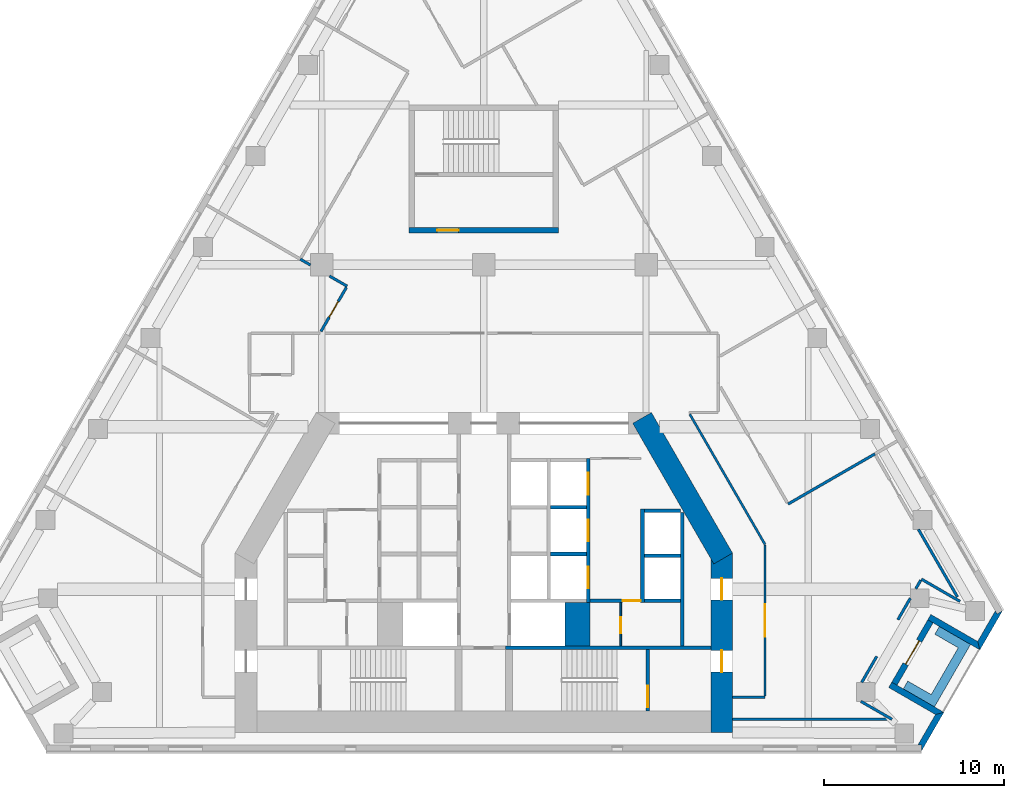
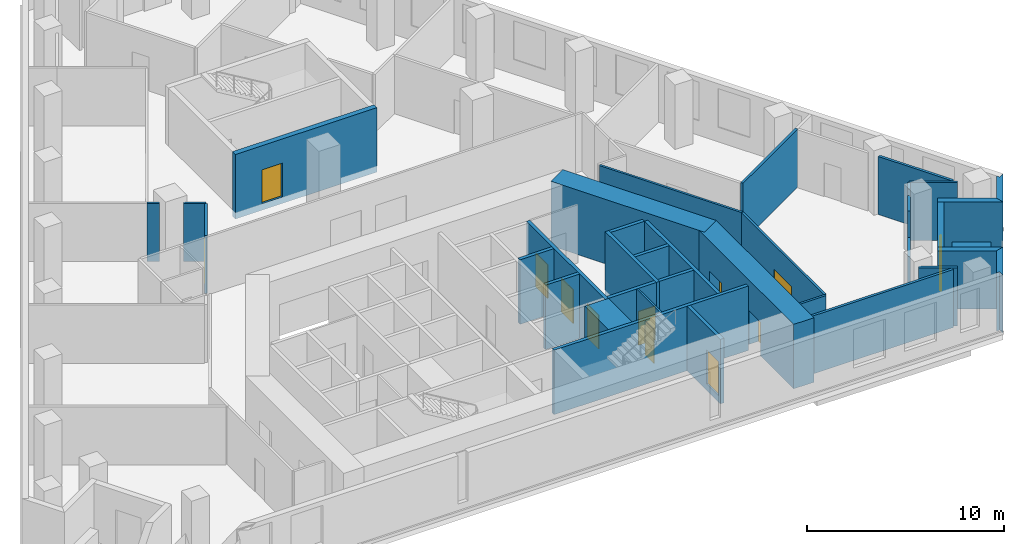
# One storey, part 5 of 8: 36 walls, 12 doors, 12 openings.
"""IFC4 building model written with IfcOpenShell, lengths in metres."""

from ifc_helpers import new_model, si_unit, direction, frame, frame_2d, origin, place, context, subcontext, project, spatial, polyline, rectangle, outline, extrude, material, layer, layer_set, type_object, element, fill, save


model = new_model("IFC4")

# Units and contexts
model_context = context("Model", 3, precision=1e-05, world=origin(), true_north=direction((0.0, 1.0)))
body_context = subcontext(model_context, "Body", "Model", "MODEL_VIEW")
ifc_project = project(units=[si_unit("LENGTHUNIT", "METRE"), si_unit("AREAUNIT", "SQUARE_METRE"), si_unit("VOLUMEUNIT", "CUBIC_METRE"), si_unit("PLANEANGLEUNIT", "RADIAN"), si_unit("MASSUNIT", "GRAM", prefix="KILO")], contexts=[model_context])

# Site, building, storey
site_placement = place(None, origin())
site = spatial("IfcSite", under=ifc_project, at=site_placement, CompositionType="ELEMENT")
building_placement = place(site_placement, origin())
building = spatial("IfcBuilding", under=site, at=building_placement, Name="Fogline Exchange Tower", CompositionType="ELEMENT")
storey_placement = place(building_placement, frame((0.0, 0.0, 154.89990234375)))
storey = spatial("IfcBuildingStorey", under=building, at=storey_placement, Name="L34", CompositionType="ELEMENT", Elevation=154.89990234375)

# Wall, opening, door
ifc_material_1 = material(Name="Blockwork partition", Category="masonry")
ifc_layer_1 = layer(ifc_material_1, 0.10009765625)
ifc_layer_set_1 = layer_set([ifc_layer_1], Name="CW10")
wall_type_1 = type_object("IfcWallType", Name="CW10", PredefinedType="PARTITIONING", material=ifc_layer_set_1)
wall_1_placement = place(storey_placement, frame((7.60009765625, 5.85009765625, 0.0), z_axis=(0.0, 0.0, 1.0), x_axis=(0.0, 1.0, 0.0)))
wall_1 = element("IfcWall", 1, at=wall_1_placement, inside=storey, type_object=wall_type_1, Name="WC partition", PredefinedType="PARTITIONING", context=body_context, shape_type="SweptSolid", body=[
    extrude(rectangle(XDim=2.39990234375, YDim=0.10009765625, at=frame_2d((1.199951171875, 0.0))), origin(), (0.0, 0.0, 1.0), 3.60009765625),
])
opening_1_placement = place(wall_1_placement, frame((0.699951171875, 0.0, 0.0)))
opening_1 = element("IfcOpeningElement", 2, at=opening_1_placement, cuts=wall_1, Name="Opening T11-C019", PredefinedType="OPENING", context=body_context, shape_type="SweptSolid", body=[
    extrude(rectangle(XDim=0.89990234375, YDim=2.10009765625, at=frame_2d((0.449951171875, 1.050048828125))), frame((0.0, 0.06005859375, 0.0), z_axis=(0.0, -1.0, 0.0), x_axis=(1.0, 0.0, 0.0)), (0.0, 0.0, 1.0), 0.1201171875),
])
ifc_material_2 = material(Name="Steel and timber fire door", Category="steel")
door_type_1 = type_object("IfcDoorType", Name="D-CS1", OperationType="SINGLE_SWING_RIGHT", PredefinedType="DOOR", material=ifc_material_2)
door_1_placement = place(opening_1_placement, origin())
door_1 = element("IfcDoor", 3, at=door_1_placement, inside=storey, type_object=door_type_1, Name="Door to Cleaner's Store", OperationType="SINGLE_SWING_LEFT", OverallHeight=2.10009765625, OverallWidth=0.89990234375, PredefinedType="DOOR", context=body_context, shape_type="SweptSolid", body=[
    extrude(rectangle(XDim=0.89990234375, YDim=2.10009765625, at=frame_2d((0.449951171875, 1.050048828125))), frame((0.0, 0.02490234375, 0.0), z_axis=(0.0, -1.0, 0.0), x_axis=(1.0, 0.0, 0.0)), (0.0, 0.0, 1.0), 0.050048828125),
])
fill(opening_1, door_1)

# Walls
ifc_material_3 = material(Name="Concrete C60", Category="concrete")
ifc_layer_2 = layer(ifc_material_3, 1.39990234375)
ifc_layer_set_2 = layer_set([ifc_layer_2], Name="CW140")
wall_type_2 = type_object("IfcWallType", Name="CW140", PredefinedType="SOLIDWALL", material=ifc_layer_set_2)
wall_2_placement = place(storey_placement, frame((5.199951171875, 5.85009765625, -0.39990234375), z_axis=(0.0, 0.0, 1.0), x_axis=(0.0, 1.0, 0.0)))
element("IfcWall", 4, at=wall_2_placement, inside=storey, type_object=wall_type_2, Name="Lift shaft block wall", PredefinedType="SOLIDWALL", context=body_context, shape_type="SweptSolid", body=[
    extrude(rectangle(XDim=2.39990234375, YDim=1.39990234375, at=frame_2d((1.199951171875, 0.0))), origin(), (0.0, 0.0, 1.0), 4.0),
])
ifc_material_4 = material(Name="Concrete C40", Category="concrete")
ifc_layer_3 = layer(ifc_material_4, 0.199951171875)
ifc_layer_set_3 = layer_set([ifc_layer_3], Name="CW20")
wall_type_3 = type_object("IfcWallType", Name="CW20", PredefinedType="SOLIDWALL", material=ifc_layer_set_3)
wall_3_placement = place(storey_placement, frame((11.0, 5.85009765625, 0.0), z_axis=(0.0, 0.0, 1.0), x_axis=(0.0, 1.0, 0.0)))
element("IfcWall", 5, at=wall_3_placement, inside=storey, type_object=wall_type_3, Name="Service room wall", PredefinedType="SOLIDWALL", context=body_context, shape_type="SweptSolid", body=[
    extrude(rectangle(XDim=7.39990234375, YDim=0.199951171875, at=frame_2d((3.699951171875, 0.0))), origin(), (0.0, 0.0, 1.0), 3.60009765625),
])

# Wall, opening, door
wall_4_placement = place(storey_placement, frame((5.89990234375, 8.35009765625, 0.0), z_axis=(0.0, 0.0, 1.0), x_axis=(1.0, 0.0, 0.0)))
wall_4 = element("IfcWall", 6, at=wall_4_placement, inside=storey, type_object=wall_type_3, Name="WC wall", PredefinedType="SOLIDWALL", context=body_context, shape_type="SweptSolid", body=[
    extrude(rectangle(XDim=2.800048828125, YDim=0.199951171875, at=frame_2d((1.39990234375, 0.0))), origin(), (0.0, 0.0, 1.0), 3.60009765625),
])
opening_2_placement = place(wall_4_placement, frame((1.800048828125, 0.0, 0.0)))
opening_2 = element("IfcOpeningElement", 7, at=opening_2_placement, cuts=wall_4, Name="Opening T11-C018", PredefinedType="OPENING", context=body_context, shape_type="SweptSolid", body=[
    extrude(rectangle(XDim=1.0, YDim=2.10009765625, at=frame_2d((0.5, 1.050048828125))), frame((0.0, 0.10986328125, 0.0), z_axis=(0.0, -1.0, 0.0), x_axis=(1.0, 0.0, 0.0)), (0.0, 0.0, 1.0), 0.219970703125),
])
door_type_2 = type_object("IfcDoorType", Name="D-WC1", OperationType="SINGLE_SWING_LEFT", PredefinedType="DOOR", material=ifc_material_2)
door_2_placement = place(opening_2_placement, frame((1.0, 0.0, 0.0), z_axis=(0.0, 0.0, 1.0), x_axis=(-1.0, 0.0, 0.0)))
door_2 = element("IfcDoor", 8, at=door_2_placement, inside=storey, type_object=door_type_2, Name="Door to Women's WC", OperationType="SINGLE_SWING_LEFT", OverallHeight=2.10009765625, OverallWidth=1.0, PredefinedType="DOOR", context=body_context, shape_type="SweptSolid", body=[
    extrude(rectangle(XDim=1.0, YDim=2.10009765625, at=frame_2d((0.5, 1.050048828125))), frame((0.0, 0.02490234375, 0.0), z_axis=(0.0, -1.0, 0.0), x_axis=(1.0, 0.0, 0.0)), (0.0, 0.0, 1.0), 0.050048828125),
])
fill(opening_2, door_2)

# Wall
ifc_layer_4 = layer(ifc_material_4, 0.199951171875)
ifc_layer_set_4 = layer_set([ifc_layer_4], Name="CW20R")
wall_type_4 = type_object("IfcWallType", Name="CW20R", PredefinedType="SOLIDWALL", material=ifc_layer_set_4)
wall_5_placement = place(storey_placement, frame((1.199951171875, 5.75, -0.39990234375), z_axis=(0.0, 0.0, 1.0), x_axis=(1.0, 0.0, 0.0)))
element("IfcWall", 9, at=wall_5_placement, inside=storey, type_object=wall_type_4, Name="Stair enclosure wall", PredefinedType="SOLIDWALL", context=body_context, shape_type="SweptSolid", body=[
    extrude(rectangle(XDim=11.400146484375, YDim=0.199951171875, at=frame_2d((5.7001953125, 0.0))), origin(), (0.0, 0.0, 1.0), 4.0),
])

# Wall, opening, door
wall_6_placement = place(storey_placement, frame((9.10009765625, 2.25, -0.39990234375), z_axis=(0.0, 0.0, 1.0), x_axis=(0.0, 1.0, 0.0)))
wall_6 = element("IfcWall", 10, at=wall_6_placement, inside=storey, type_object=wall_type_4, Name="Stair enclosure wall", PredefinedType="SOLIDWALL", context=body_context, shape_type="SweptSolid", body=[
    extrude(rectangle(XDim=3.39990234375, YDim=0.199951171875, at=frame_2d((1.699951171875, 0.0))), origin(), (0.0, 0.0, 1.0), 4.0),
])
opening_3_placement = place(wall_6_placement, frame((0.199951171875, 0.0, 0.39990234375)))
opening_3 = element("IfcOpeningElement", 11, at=opening_3_placement, cuts=wall_6, Name="Opening T11-C021", PredefinedType="OPENING", context=body_context, shape_type="SweptSolid", body=[
    extrude(rectangle(XDim=1.199951171875, YDim=2.10009765625, at=frame_2d((0.60009765625, 1.050048828125))), frame((0.0, 0.10986328125, 0.0), z_axis=(0.0, -1.0, 0.0), x_axis=(1.0, 0.0, 0.0)), (0.0, 0.0, 1.0), 0.219970703125),
])
door_type_3 = type_object("IfcDoorType", Name="D-ST1", OperationType="SINGLE_SWING_LEFT", PredefinedType="DOOR", material=ifc_material_2)
door_3_placement = place(opening_3_placement, origin())
door_3 = element("IfcDoor", 12, at=door_3_placement, inside=storey, type_object=door_type_3, Name="Stair door ST2", OperationType="SINGLE_SWING_LEFT", OverallHeight=2.10009765625, OverallWidth=1.199951171875, PredefinedType="DOOR", context=body_context, shape_type="SweptSolid", body=[
    extrude(rectangle(XDim=1.199951171875, YDim=2.10009765625, at=frame_2d((0.60009765625, 1.050048828125))), frame((0.0, 0.02490234375, 0.0), z_axis=(0.0, -1.0, 0.0), x_axis=(1.0, 0.0, 0.0)), (0.0, 0.0, 1.0), 0.050048828125),
])
fill(opening_3, door_3)

# Wall
ifc_layer_5 = layer(ifc_material_4, 0.199951171875)
ifc_layer_set_5 = layer_set([ifc_layer_5], Name="CW20S")
wall_type_5 = type_object("IfcWallType", Name="CW20S", PredefinedType="SOLIDWALL", material=ifc_layer_set_5)
wall_7_placement = place(storey_placement, frame((8.800048828125, 8.25, -0.39990234375), z_axis=(0.0, 0.0, 1.0), x_axis=(0.0, 1.0, 0.0)))
element("IfcWall", 13, at=wall_7_placement, inside=storey, type_object=wall_type_5, Name="Lift shaft wall", PredefinedType="SOLIDWALL", context=body_context, shape_type="SweptSolid", body=[
    extrude(rectangle(XDim=5.199951171875, YDim=0.199951171875, at=frame_2d((2.60009765625, 0.0))), origin(), (0.0, 0.0, 1.0), 4.0),
])

# Wall, openings, doors
wall_8_placement = place(storey_placement, frame((5.800048828125, 8.25, -0.39990234375), z_axis=(0.0, 0.0, 1.0), x_axis=(0.0, 1.0, 0.0)))
wall_8 = element("IfcWall", 14, at=wall_8_placement, inside=storey, type_object=wall_type_5, Name="Lift shaft wall", PredefinedType="SOLIDWALL", context=body_context, shape_type="SweptSolid", body=[
    extrude(rectangle(XDim=8.0, YDim=0.199951171875, at=frame_2d((4.0, 0.0))), origin(), (0.0, 0.0, 1.0), 4.0),
])
opening_4_placement = place(wall_8_placement, frame((0.800048828125, 0.0, 0.39990234375)))
opening_4 = element("IfcOpeningElement", 15, at=opening_4_placement, cuts=wall_8, Name="Opening T11-LD02", PredefinedType="OPENING", context=body_context, shape_type="SweptSolid", body=[
    extrude(rectangle(XDim=1.199951171875, YDim=2.10009765625, at=frame_2d((0.60009765625, 1.050048828125))), frame((0.0, 0.10986328125, 0.0), z_axis=(0.0, -1.0, 0.0), x_axis=(1.0, 0.0, 0.0)), (0.0, 0.0, 1.0), 0.219970703125),
])
opening_5_placement = place(wall_8_placement, frame((3.39990234375, 0.0, 0.39990234375)))
opening_5 = element("IfcOpeningElement", 16, at=opening_5_placement, cuts=wall_8, Name="Opening T11-LD03", PredefinedType="OPENING", context=body_context, shape_type="SweptSolid", body=[
    extrude(rectangle(XDim=1.199951171875, YDim=2.10009765625, at=frame_2d((0.60009765625, 1.050048828125))), frame((0.0, 0.10986328125, 0.0), z_axis=(0.0, -1.0, 0.0), x_axis=(1.0, 0.0, 0.0)), (0.0, 0.0, 1.0), 0.219970703125),
])
opening_6_placement = place(wall_8_placement, frame((6.0, 0.0, 0.39990234375)))
opening_6 = element("IfcOpeningElement", 17, at=opening_6_placement, cuts=wall_8, Name="Opening T11-LD04", PredefinedType="OPENING", context=body_context, shape_type="SweptSolid", body=[
    extrude(rectangle(XDim=1.199951171875, YDim=2.10009765625, at=frame_2d((0.60009765625, 1.050048828125))), frame((0.0, 0.10986328125, 0.0), z_axis=(0.0, -1.0, 0.0), x_axis=(1.0, 0.0, 0.0)), (0.0, 0.0, 1.0), 0.219970703125),
])
door_type_4 = type_object("IfcDoorType", Name="LD1", OperationType="SLIDING_TO_LEFT", PredefinedType="DOOR", material=ifc_material_2)
door_4_placement = place(opening_4_placement, origin())
door_4 = element("IfcDoor", 18, at=door_4_placement, inside=storey, type_object=door_type_4, Name="Landing door MR1", OperationType="SLIDING_TO_LEFT", OverallHeight=2.10009765625, OverallWidth=1.199951171875, PredefinedType="DOOR", context=body_context, shape_type="SweptSolid", body=[
    extrude(rectangle(XDim=1.199951171875, YDim=2.10009765625, at=frame_2d((0.60009765625, 1.050048828125))), frame((0.0, 0.02490234375, 0.0), z_axis=(0.0, -1.0, 0.0), x_axis=(1.0, 0.0, 0.0)), (0.0, 0.0, 1.0), 0.050048828125),
])
fill(opening_4, door_4)
door_5_placement = place(opening_5_placement, origin())
door_5 = element("IfcDoor", 19, at=door_5_placement, inside=storey, type_object=door_type_4, Name="Landing door MR2", OperationType="SLIDING_TO_LEFT", OverallHeight=2.10009765625, OverallWidth=1.199951171875, PredefinedType="DOOR", context=body_context, shape_type="SweptSolid", body=[
    extrude(rectangle(XDim=1.199951171875, YDim=2.10009765625, at=frame_2d((0.60009765625, 1.050048828125))), frame((0.0, 0.02490234375, 0.0), z_axis=(0.0, -1.0, 0.0), x_axis=(1.0, 0.0, 0.0)), (0.0, 0.0, 1.0), 0.050048828125),
])
fill(opening_5, door_5)
door_6_placement = place(opening_6_placement, origin())
door_6 = element("IfcDoor", 20, at=door_6_placement, inside=storey, type_object=door_type_4, Name="Landing door MR3", OperationType="SLIDING_TO_LEFT", OverallHeight=2.10009765625, OverallWidth=1.199951171875, PredefinedType="DOOR", context=body_context, shape_type="SweptSolid", body=[
    extrude(rectangle(XDim=1.199951171875, YDim=2.10009765625, at=frame_2d((0.60009765625, 1.050048828125))), frame((0.0, 0.02490234375, 0.0), z_axis=(0.0, -1.0, 0.0), x_axis=(1.0, 0.0, 0.0)), (0.0, 0.0, 1.0), 0.050048828125),
])
fill(opening_6, door_6)

# Walls
for number, where, z_axis, x_axis, name in (
    (21, (8.89990234375, 8.35009765625, -0.39990234375), (0.0, 0.0, 1.0), (1.0, 0.0, 0.0), "Lift shaft wall"),
    (22, (8.89990234375, 10.85009765625, -0.39990234375), (0.0, 0.0, 1.0), (1.0, 0.0, 0.0), "Lift shaft wall"),
    (23, (8.89990234375, 13.35009765625, -0.39990234375), (0.0, 0.0, 1.0), (1.0, 0.0, 0.0), "Lift shaft wall"),
    (24, (3.699951171875, 10.949951171875, -0.39990234375), (0.0, 0.0, 1.0), (1.0, 0.0, 0.0), "Lift shaft wall"),
    (25, (3.699951171875, 13.550048828125, -0.39990234375), (0.0, 0.0, 1.0), (1.0, 0.0, 0.0), "Lift shaft wall"),
):
    element("IfcWall", number, at=place(storey_placement, frame(where, z_axis=z_axis, x_axis=x_axis)), inside=storey, type_object=wall_type_5, Name=name, PredefinedType="SOLIDWALL", context=body_context, shape_type="SweptSolid", body=[
        extrude(rectangle(XDim=2.0, YDim=0.199951171875, at=frame_2d((1.0, 0.0))), origin(), (0.0, 0.0, 1.0), 4.0),
    ])

# Wall, opening, door
ifc_layer_6 = layer(ifc_material_4, 0.300048828125)
ifc_layer_set_6 = layer_set([ifc_layer_6], Name="CW30")
wall_type_6 = type_object("IfcWallType", Name="CW30", PredefinedType="SOLIDWALL", material=ifc_layer_set_6)
wall_9_placement = place(storey_placement, frame((-4.14990234375, 28.906982421875, -0.39990234375), z_axis=(0.0, 0.0, 1.0), x_axis=(1.0, 0.0, 0.0)))
wall_9 = element("IfcWall", 26, at=wall_9_placement, inside=storey, type_object=wall_type_6, Name="Stair enclosure wall ST3", PredefinedType="SOLIDWALL", context=body_context, shape_type="SweptSolid", body=[
    extrude(rectangle(XDim=8.2998046875, YDim=0.300048828125, at=frame_2d((4.14990234375, 0.0))), origin(), (0.0, 0.0, 1.0), 4.0),
])
opening_7_placement = place(wall_9_placement, frame((1.550048828125, 0.0, 0.39990234375)))
opening_7 = element("IfcOpeningElement", 27, at=opening_7_placement, cuts=wall_9, Name="Opening T11-C026", PredefinedType="OPENING", context=body_context, shape_type="SweptSolid", body=[
    extrude(rectangle(XDim=1.199951171875, YDim=2.10009765625, at=frame_2d((0.60009765625, 1.050048828125))), frame((0.0, 0.16015625, 0.0), z_axis=(0.0, -1.0, 0.0), x_axis=(1.0, 0.0, 0.0)), (0.0, 0.0, 1.0), 0.320068359375),
])
door_type_5 = type_object("IfcDoorType", Name="D-FR1", OperationType="SINGLE_SWING_RIGHT", PredefinedType="DOOR", material=ifc_material_2)
door_7_placement = place(opening_7_placement, origin())
door_7 = element("IfcDoor", 28, at=door_7_placement, inside=storey, type_object=door_type_5, Name="Front room door ST3", OperationType="SINGLE_SWING_LEFT", OverallHeight=2.10009765625, OverallWidth=1.199951171875, PredefinedType="DOOR", context=body_context, shape_type="SweptSolid", body=[
    extrude(rectangle(XDim=1.199951171875, YDim=2.10009765625, at=frame_2d((0.60009765625, 1.050048828125))), frame((0.0, 0.02490234375, 0.0), z_axis=(0.0, -1.0, 0.0), x_axis=(1.0, 0.0, 0.0)), (0.0, 0.0, 1.0), 0.050048828125),
])
fill(opening_7, door_7)

# Walls
ifc_material_5 = material(Name="Brick masonry", Category="masonry")
ifc_layer_7 = layer(ifc_material_5, 0.340087890625)
ifc_layer_set_7 = layer_set([ifc_layer_7], Name="FW1")
wall_type_7 = type_object("IfcWallType", Name="FW1", PredefinedType="SOLIDWALL", material=ifc_layer_set_7)
wall_10_placement = place(storey_placement, origin())
element("IfcWall", 29, at=wall_10_placement, inside=storey, type_object=wall_type_7, Name="Brick wall L34 SE-c1", PredefinedType="SOLIDWALL", context=body_context, shape_type="SweptSolid", body=[
    extrude(outline(polyline([(25.527099609375, 2.165771484375), (24.276123046875, -0.001220703125), (24.275390625, -0.0009765625), (24.275390625, 0.33935546875), (24.078857421875, 0.33935546875), (25.061279296875, 2.041015625), (25.52685546875, 2.166015625), (25.527099609375, 2.165771484375)])), origin(), (0.0, 0.0, 1.0), 3.60009765625),
])
wall_11_placement = place(storey_placement, origin())
element("IfcWall", 30, at=wall_11_placement, inside=storey, type_object=wall_type_7, Name="Brick wall L34 SE-s1", PredefinedType="SOLIDWALL", context=body_context, shape_type="SweptSolid", body=[
    extrude(outline(polyline([(22.462646484375, 3.540283203125), (22.63330078125, 3.8359375), (22.92822265625, 3.66552734375), (25.52734375, 2.1650390625), (25.52734375, 2.164794921875), (25.0615234375, 2.0400390625), (22.462646484375, 3.540283203125)])), origin(), (0.0, 0.0, 1.0), 3.60009765625),
])

# Wall, opening, door
wall_12_placement = place(storey_placement, frame((22.78076171875, 3.75, 0.0), z_axis=(0.0, 0.0, 1.0), x_axis=(0.49999894854, 0.866026010844, 0.0)))
wall_12 = element("IfcWall", 31, at=wall_12_placement, inside=storey, type_object=wall_type_7, Name="Brick wall L34 SE-bk", PredefinedType="SOLIDWALL", context=body_context, shape_type="SweptSolid", body=[
    extrude(rectangle(XDim=4.0, YDim=0.340087890625, at=frame_2d((2.0, 0.0))), origin(), (0.0, 0.0, 1.0), 3.60009765625),
])
opening_8_placement = place(wall_12_placement, frame((1.25, 0.0, 0.0)))
opening_8 = element("IfcOpeningElement", 32, at=opening_8_placement, cuts=wall_12, Name="Opening T11-E081", PredefinedType="OPENING", context=body_context, shape_type="SweptSolid", body=[
    extrude(rectangle(XDim=1.5, YDim=2.39990234375, at=frame_2d((0.75, 1.199951171875))), frame((0.0, 0.18017578125, 0.0), z_axis=(0.0, -1.0, 0.0), x_axis=(1.0, 0.0, 0.0)), (0.0, 0.0, 1.0), 0.360107421875),
])
ifc_material_6 = material(Name="Aluminium and glass", Category="aluminium")
door_type_6 = type_object("IfcDoorType", Name="ED4", OperationType="SINGLE_SWING_LEFT", PredefinedType="DOOR", material=ifc_material_6)
door_8_placement = place(opening_8_placement, frame((1.5, 0.0, 0.0), z_axis=(0.0, 0.0, 1.0), x_axis=(-1.0, 0.0, 0.0)))
door_8 = element("IfcDoor", 33, at=door_8_placement, inside=storey, type_object=door_type_6, Name="Balcony door L34 SE", OperationType="DOUBLE_DOOR_SINGLE_SWING", OverallHeight=2.39990234375, OverallWidth=1.5, PredefinedType="DOOR", context=body_context, shape_type="SweptSolid", body=[
    extrude(rectangle(XDim=1.5, YDim=2.39990234375, at=frame_2d((0.75, 1.199951171875))), frame((0.0, 0.02490234375, 0.0), z_axis=(0.0, -1.0, 0.0), x_axis=(1.0, 0.0, 0.0)), (0.0, 0.0, 1.0), 0.050048828125),
])
fill(opening_8, door_8)

# Walls
wall_13_placement = place(storey_placement, origin())
element("IfcWall", 34, at=wall_13_placement, inside=storey, type_object=wall_type_7, Name="Brick wall L34 SE-s2", PredefinedType="SOLIDWALL", context=body_context, shape_type="SweptSolid", body=[
    extrude(outline(polyline([(27.526611328125, 5.628173828125), (24.927734375, 7.128662109375), (24.6328125, 7.298828125), (24.803466796875, 7.594482421875), (27.402099609375, 6.093994140625), (27.52685546875, 5.62841796875), (27.526611328125, 5.628173828125)])), origin(), (0.0, 0.0, 1.0), 3.60009765625),
])
wall_14_placement = place(storey_placement, origin())
element("IfcWall", 35, at=wall_14_placement, inside=storey, type_object=wall_type_7, Name="Brick wall L34 SE-c2", PredefinedType="SOLIDWALL", context=body_context, shape_type="SweptSolid", body=[
    extrude(outline(polyline([(28.383544921875, 7.79541015625), (28.48193359375, 7.625), (28.776611328125, 7.79541015625), (28.777099609375, 7.794921875), (27.526123046875, 5.6279296875), (27.52587890625, 5.6279296875), (27.40087890625, 6.09375), (28.383544921875, 7.79541015625)])), origin(), (0.0, 0.0, 1.0), 3.60009765625),
])
ifc_material_7 = material(Name="Concrete C30", Category="concrete")
ifc_layer_8 = layer(ifc_material_7, 0.199951171875)
ifc_layer_set_8 = layer_set([ifc_layer_8], Name="PL1")
wall_type_8 = type_object("IfcWallType", Name="PL1", PredefinedType="USERDEFINED", material=ifc_layer_set_8)
wall_15_placement = place(storey_placement, origin())
element("IfcWall", 36, at=wall_15_placement, inside=storey, type_object=wall_type_8, Name="PLANTER balcony L34 SE", ObjectType="PLANTER", PredefinedType="USERDEFINED", context=body_context, shape_type="SweptSolid", body=[
    extrude(outline(polyline([(23.2744140625, 3.465087890625), (24.573486328125, 2.715087890625), (24.573486328125, 2.715087890625), (25.006591796875, 2.465087890625), (27.006591796875, 5.92919921875), (25.2744140625, 6.92919921875), (25.0244140625, 6.49609375), (26.323486328125, 5.74609375), (24.823486328125, 3.148193359375), (23.5244140625, 3.898193359375), (23.2744140625, 3.465087890625)])), origin(), (0.0, 0.0, 1.0), 1.10009765625),
])
ifc_material_8 = material(Name="Plasterboard corridor partition with mineral wool, 2 layers each side")
ifc_layer_9 = layer(ifc_material_8, 0.125)
ifc_layer_set_9 = layer_set([ifc_layer_9], Name="PW2")
wall_type_9 = type_object("IfcWallType", Name="PW2", PredefinedType="PARTITIONING", material=ifc_layer_set_9)
wall_16_placement = place(storey_placement, frame((11.428955078125, 18.705810546875, 0.0), z_axis=(0.0, 0.0, 1.0), x_axis=(0.500001115765, -0.866024759596, 0.0)))
element("IfcWall", 37, at=wall_16_placement, inside=storey, type_object=wall_type_9, Name="wall-L34-W001", PredefinedType="PARTITIONING", context=body_context, shape_type="SweptSolid", body=[
    extrude(rectangle(XDim=8.34228515625, YDim=0.125, at=frame_2d((4.171142578125, 0.0))), origin(), (0.0, 0.0, 1.0), 3.60009765625),
])

# Wall, opening, door
wall_17_placement = place(storey_placement, frame((15.60009765625, 11.4501953125, 0.0), z_axis=(0.0, 0.0, 1.0), x_axis=(0.0, -1.0, 0.0)))
wall_17 = element("IfcWall", 38, at=wall_17_placement, inside=storey, type_object=wall_type_9, Name="wall-L34-W002", PredefinedType="PARTITIONING", context=body_context, shape_type="SweptSolid", body=[
    extrude(rectangle(XDim=8.3876953125, YDim=0.125, at=frame_2d((4.19384765625, 0.0))), origin(), (0.0, 0.0, 1.0), 3.60009765625),
])
opening_9_placement = place(wall_17_placement, frame((3.2939453125, 0.0, 0.0)))
opening_9 = element("IfcOpeningElement", 39, at=opening_9_placement, cuts=wall_17, Name="Opening T11-D001", PredefinedType="OPENING", context=body_context, shape_type="SweptSolid", body=[
    extrude(rectangle(XDim=1.800048828125, YDim=2.10009765625, at=frame_2d((0.89990234375, 1.050048828125))), frame((0.0, 0.072509765625, 0.0), z_axis=(0.0, -1.0, 0.0), x_axis=(1.0, 0.0, 0.0)), (0.0, 0.0, 1.0), 0.14501953125),
])
ifc_material_9 = material(Name="Fire-rated timber door leaves with steel frame", Category="steel")
door_type_7 = type_object("IfcDoorType", Name="D4", OperationType="DOUBLE_DOOR_SINGLE_SWING", PredefinedType="DOOR", material=ifc_material_9)
door_9_placement = place(opening_9_placement, frame((1.800048828125, 0.0, 0.0), z_axis=(0.0, 0.0, 1.0), x_axis=(-1.0, 0.0, 0.0)))
door_9 = element("IfcDoor", 40, at=door_9_placement, inside=storey, type_object=door_type_7, Name="door-L34-D001", OperationType="DOUBLE_DOOR_SINGLE_SWING", OverallHeight=2.10009765625, OverallWidth=1.800048828125, PredefinedType="DOOR", context=body_context, shape_type="SweptSolid", body=[
    extrude(rectangle(XDim=1.800048828125, YDim=2.10009765625, at=frame_2d((0.89990234375, 1.050048828125))), frame((0.0, 0.02490234375, 0.0), z_axis=(0.0, -1.0, 0.0), x_axis=(1.0, 0.0, 0.0)), (0.0, 0.0, 1.0), 0.050048828125),
])
fill(opening_9, door_9)

# Walls
wall_18_placement = place(storey_placement, frame((15.60009765625, 3.0, 0.0), z_axis=(0.0, 0.0, 1.0), x_axis=(-1.0, 0.0, 0.0)))
element("IfcWall", 41, at=wall_18_placement, inside=storey, type_object=wall_type_9, Name="wall-L34-W003", PredefinedType="PARTITIONING", context=body_context, shape_type="SweptSolid", body=[
    extrude(rectangle(XDim=1.800048828125, YDim=0.125, at=frame_2d((0.89990234375, 0.0))), origin(), (0.0, 0.0, 1.0), 3.60009765625),
])
ifc_material_10 = material(Name="Plasterboard demising partition with mineral wool and acoustic board")
ifc_layer_10 = layer(ifc_material_10, 0.14990234375)
ifc_layer_set_10 = layer_set([ifc_layer_10], Name="PW3")
wall_type_10 = type_object("IfcWallType", Name="PW3", PredefinedType="PARTITIONING", material=ifc_layer_set_10)
wall_19_placement = place(storey_placement, frame((21.697265625, 16.501953125, 0.0), z_axis=(0.0, 0.0, 1.0), x_axis=(-0.866025547485, -0.499999751104, 0.0)))
element("IfcWall", 42, at=wall_19_placement, inside=storey, type_object=wall_type_10, Name="wall-L34-W021", PredefinedType="PARTITIONING", context=body_context, shape_type="SweptSolid", body=[
    extrude(rectangle(XDim=5.5634765625, YDim=0.14990234375, at=frame_2d((2.78173828125, 0.0))), origin(), (0.0, 0.0, 1.0), 3.60009765625),
])

# Wall, opening, door
wall_20_placement = place(storey_placement, frame((-9.038818359375, 23.30029296875, 0.0), z_axis=(0.0, 0.0, 1.0), x_axis=(0.500026877998, 0.866009885209, 0.0)))
wall_20 = element("IfcWall", 43, at=wall_20_placement, inside=storey, type_object=wall_type_10, Name="wall-L34-W040", PredefinedType="PARTITIONING", context=body_context, shape_type="SweptSolid", body=[
    extrude(rectangle(XDim=2.822998046875, YDim=0.14990234375, at=frame_2d((1.41162109375, 0.0))), origin(), (0.0, 0.0, 1.0), 3.60009765625),
])
opening_10_placement = place(wall_20_placement, frame((0.91162109375, 0.0, 0.0)))
opening_10 = element("IfcOpeningElement", 44, at=opening_10_placement, cuts=wall_20, Name="Opening T11-D013", PredefinedType="OPENING", context=body_context, shape_type="SweptSolid", body=[
    extrude(rectangle(XDim=1.0, YDim=2.10009765625, at=frame_2d((0.5, 1.050048828125))), frame((0.0, 0.0849609375, 0.0), z_axis=(0.0, -1.0, 0.0), x_axis=(1.0, 0.0, 0.0)), (0.0, 0.0, 1.0), 0.169921875),
])
ifc_material_11 = material(Name="Fire-rated timber door leaf with steel frame", Category="steel")
door_type_8 = type_object("IfcDoorType", Name="D3", OperationType="SINGLE_SWING_LEFT", PredefinedType="DOOR", material=ifc_material_11)
door_10_placement = place(opening_10_placement, origin())
door_10 = element("IfcDoor", 45, at=door_10_placement, inside=storey, type_object=door_type_8, Name="door-L34-D013", OperationType="SINGLE_SWING_LEFT", OverallHeight=2.10009765625, OverallWidth=1.0, PredefinedType="DOOR", context=body_context, shape_type="SweptSolid", body=[
    extrude(rectangle(XDim=1.0, YDim=2.10009765625, at=frame_2d((0.5, 1.050048828125))), frame((0.0, 0.02490234375, 0.0), z_axis=(0.0, -1.0, 0.0), x_axis=(1.0, 0.0, 0.0)), (0.0, 0.0, 1.0), 0.050048828125),
])
fill(opening_10, door_10)

# Walls
wall_21_placement = place(storey_placement, frame((-7.589599609375, 25.810302734375, 0.0), z_axis=(0.0, 0.0, 1.0), x_axis=(-0.866066817379, 0.499928262689, 0.0)))
element("IfcWall", 46, at=wall_21_placement, inside=storey, type_object=wall_type_10, Name="wall-L34-W041", PredefinedType="PARTITIONING", context=body_context, shape_type="SweptSolid", body=[
    extrude(rectangle(XDim=1.129638671875, YDim=0.14990234375, at=frame_2d((0.56494140625, 0.0))), origin(), (0.0, 0.0, 1.0), 3.60009765625),
])
wall_22_placement = place(storey_placement, frame((-9.625, 26.9853515625, 0.0), z_axis=(0.0, 0.0, 1.0), x_axis=(-0.86599162392, 0.500058503878, 0.0)))
element("IfcWall", 47, at=wall_22_placement, inside=storey, type_object=wall_type_10, Name="wall-L34-W042", PredefinedType="PARTITIONING", context=body_context, shape_type="SweptSolid", body=[
    extrude(rectangle(XDim=0.64990234375, YDim=0.14990234375, at=frame_2d((0.324951171875, 0.0))), origin(), (0.0, 0.0, 1.0), 3.60009765625),
])
wall_23_placement = place(storey_placement, frame((13.800048828125, 1.776611328125, 0.0), z_axis=(0.0, 0.0, 1.0), x_axis=(1.0, 0.0, 0.0)))
element("IfcWall", 48, at=wall_23_placement, inside=storey, type_object=wall_type_10, Name="wall-L34-W050", PredefinedType="PARTITIONING", context=body_context, shape_type="SweptSolid", body=[
    extrude(rectangle(XDim=8.565673828125, YDim=0.14990234375, at=frame_2d((4.28271484375, 0.0))), origin(), (0.0, 0.0, 1.0), 3.60009765625),
])
wall_24_placement = place(storey_placement, frame((22.64599609375, 1.776611328125, 0.0), z_axis=(0.0, 0.0, 1.0), x_axis=(-0.866073508375, 0.499916671148, 0.0)))
element("IfcWall", 49, at=wall_24_placement, inside=storey, type_object=wall_type_10, Name="wall-L34-W051", PredefinedType="PARTITIONING", context=body_context, shape_type="SweptSolid", body=[
    extrude(rectangle(XDim=1.994873046875, YDim=0.14990234375, at=frame_2d((0.99755859375, 0.0))), origin(), (0.0, 0.0, 1.0), 3.60009765625),
])
wall_25_placement = place(storey_placement, frame((20.968505859375, 3.823974609375, 0.0), z_axis=(0.0, 0.0, 1.0), x_axis=(0.499950631041, 0.86605390509, 0.0)))
element("IfcWall", 50, at=wall_25_placement, inside=storey, type_object=wall_type_10, Name="wall-L34-W052", PredefinedType="PARTITIONING", context=body_context, shape_type="SweptSolid", body=[
    extrude(rectangle(XDim=1.667236328125, YDim=0.14990234375, at=frame_2d((0.83349609375, 0.0))), origin(), (0.0, 0.0, 1.0), 3.60009765625),
])
wall_26_placement = place(storey_placement, frame((22.97705078125, 7.302978515625, 0.0), z_axis=(0.0, 0.0, 1.0), x_axis=(0.499958106649, 0.866049589571, 0.0)))
element("IfcWall", 51, at=wall_26_placement, inside=storey, type_object=wall_type_10, Name="wall-L34-W053", PredefinedType="PARTITIONING", context=body_context, shape_type="SweptSolid", body=[
    extrude(rectangle(XDim=1.375, YDim=0.14990234375, at=frame_2d((0.6875, 0.0))), origin(), (0.0, 0.0, 1.0), 3.60009765625),
])
wall_27_placement = place(storey_placement, frame((23.968505859375, 9.020263671875, 0.0), z_axis=(0.0, 0.0, 1.0), x_axis=(0.499955758317, 0.866050945225, 0.0)))
element("IfcWall", 52, at=wall_27_placement, inside=storey, type_object=wall_type_10, Name="wall-L34-W054", PredefinedType="PARTITIONING", context=body_context, shape_type="SweptSolid", body=[
    extrude(rectangle(XDim=0.54345703125, YDim=0.14990234375, at=frame_2d((0.271728515625, 0.0))), origin(), (0.0, 0.0, 1.0), 3.60009765625),
])
wall_28_placement = place(storey_placement, frame((24.27783203125, 9.555908203125, 0.0), z_axis=(0.0, 0.0, 1.0), x_axis=(0.866026347786, -0.499998364937, 0.0)))
element("IfcWall", 53, at=wall_28_placement, inside=storey, type_object=wall_type_10, Name="wall-L34-W055", PredefinedType="PARTITIONING", context=body_context, shape_type="SweptSolid", body=[
    extrude(rectangle(XDim=2.4765625, YDim=0.14990234375, at=frame_2d((1.23828125, 0.0))), origin(), (0.0, 0.0, 1.0), 3.60009765625),
])
wall_29_placement = place(storey_placement, frame((26.2822265625, 8.560546875, 0.0), z_axis=(0.0, 0.0, 1.0), x_axis=(-0.499980506256, 0.86603665821, 0.0)))
element("IfcWall", 54, at=wall_29_placement, inside=storey, type_object=wall_type_10, Name="wall-L34-W056", PredefinedType="PARTITIONING", context=body_context, shape_type="SweptSolid", body=[
    extrude(rectangle(XDim=4.340576171875, YDim=0.14990234375, at=frame_2d((2.17041015625, 0.0))), origin(), (0.0, 0.0, 1.0), 3.60009765625),
])

# Wall, openings, doors
ifc_layer_11 = layer(ifc_material_3, 1.199951171875)
ifc_layer_set_11 = layer_set([ifc_layer_11], Name="SW02")
wall_type_11 = type_object("IfcWallType", Name="SW02", PredefinedType="SHEAR", material=ifc_layer_set_11)
wall_30_placement = place(storey_placement, frame((13.199951171875, 1.050048828125, 0.0), z_axis=(0.0, 0.0, 1.0), x_axis=(0.0, 1.0, 0.0)))
wall_30 = element("IfcWall", 55, at=wall_30_placement, inside=storey, type_object=wall_type_11, Name="L34-W902", PredefinedType="SHEAR", context=body_context, shape_type="SweptSolid", body=[
    extrude(rectangle(XDim=9.948974609375, YDim=1.199951171875, at=frame_2d((4.974609375, 0.0))), origin(), (0.0, 0.0, 1.0), 4.0),
])
opening_11_placement = place(wall_30_placement, frame((3.35009765625, 0.0, 0.0)))
opening_11 = element("IfcOpeningElement", 56, at=opening_11_placement, cuts=wall_30, Name="Opening T11-C020", PredefinedType="OPENING", context=body_context, shape_type="SweptSolid", body=[
    extrude(rectangle(XDim=1.199951171875, YDim=2.10009765625, at=frame_2d((0.60009765625, 1.050048828125))), frame((0.0, 0.60986328125, 0.0), z_axis=(0.0, -1.0, 0.0), x_axis=(1.0, 0.0, 0.0)), (0.0, 0.0, 1.0), 1.219970703125),
])
opening_12_placement = place(wall_30_placement, frame((7.35009765625, 0.0, 0.0)))
opening_12 = element("IfcOpeningElement", 57, at=opening_12_placement, cuts=wall_30, Name="Opening T11-C022", PredefinedType="OPENING", context=body_context, shape_type="SweptSolid", body=[
    extrude(rectangle(XDim=1.199951171875, YDim=2.10009765625, at=frame_2d((0.60009765625, 1.050048828125))), frame((0.0, 0.60986328125, 0.0), z_axis=(0.0, -1.0, 0.0), x_axis=(1.0, 0.0, 0.0)), (0.0, 0.0, 1.0), 1.219970703125),
])
door_11_placement = place(opening_11_placement, origin())
door_11 = element("IfcDoor", 58, at=door_11_placement, inside=storey, type_object=door_type_5, Name="Front room door ST2", OperationType="SINGLE_SWING_RIGHT", OverallHeight=2.10009765625, OverallWidth=1.199951171875, PredefinedType="DOOR", context=body_context, shape_type="SweptSolid", body=[
    extrude(rectangle(XDim=1.199951171875, YDim=2.10009765625, at=frame_2d((0.60009765625, 1.050048828125))), frame((0.0, 0.02490234375, 0.0), z_axis=(0.0, -1.0, 0.0), x_axis=(1.0, 0.0, 0.0)), (0.0, 0.0, 1.0), 0.050048828125),
])
fill(opening_11, door_11)
door_type_9 = type_object("IfcDoorType", Name="D-SV1", OperationType="SINGLE_SWING_LEFT", PredefinedType="DOOR", material=ifc_material_2)
door_12_placement = place(opening_12_placement, origin())
door_12 = element("IfcDoor", 59, at=door_12_placement, inside=storey, type_object=door_type_9, Name="Service door E", OperationType="SINGLE_SWING_RIGHT", OverallHeight=2.10009765625, OverallWidth=1.199951171875, PredefinedType="DOOR", context=body_context, shape_type="SweptSolid", body=[
    extrude(rectangle(XDim=1.199951171875, YDim=2.10009765625, at=frame_2d((0.60009765625, 1.050048828125))), frame((0.0, 0.02490234375, 0.0), z_axis=(0.0, -1.0, 0.0), x_axis=(1.0, 0.0, 0.0)), (0.0, 0.0, 1.0), 0.050048828125),
])
fill(opening_12, door_12)

# Wall
wall_31_placement = place(storey_placement, frame((13.280517578125, 10.698974609375, 0.0), z_axis=(0.0, 0.0, 1.0), x_axis=(-0.499998513025, 0.866026262288, 0.0)))
element("IfcWall", 60, at=wall_31_placement, inside=storey, type_object=wall_type_11, Name="L34-W903", PredefinedType="SHEAR", context=body_context, shape_type="SweptSolid", body=[
    extrude(rectangle(XDim=9.0078125, YDim=1.199951171875, at=frame_2d((4.50390625, 0.0))), origin(), (0.0, 0.0, 1.0), 4.0),
])

save(model, "model.ifc")
